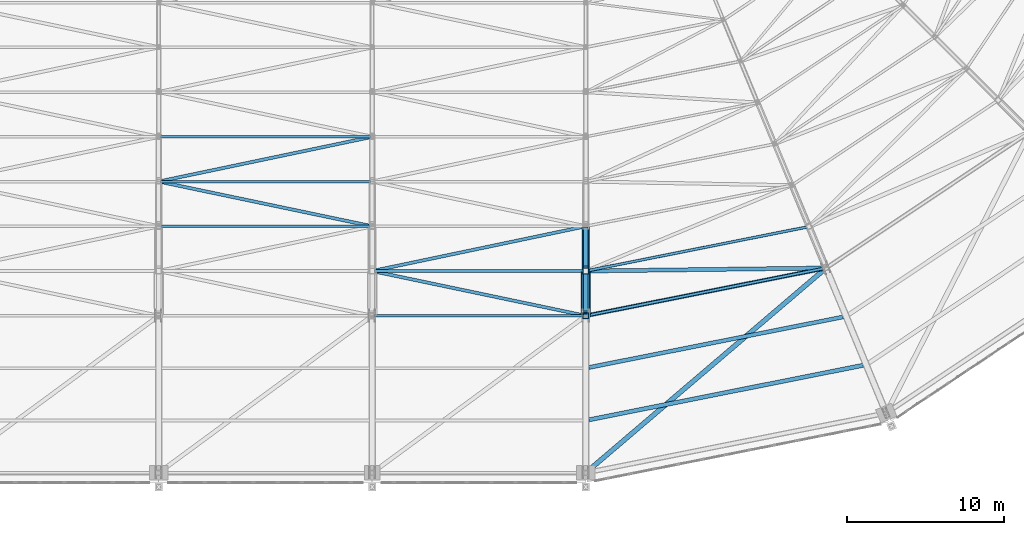
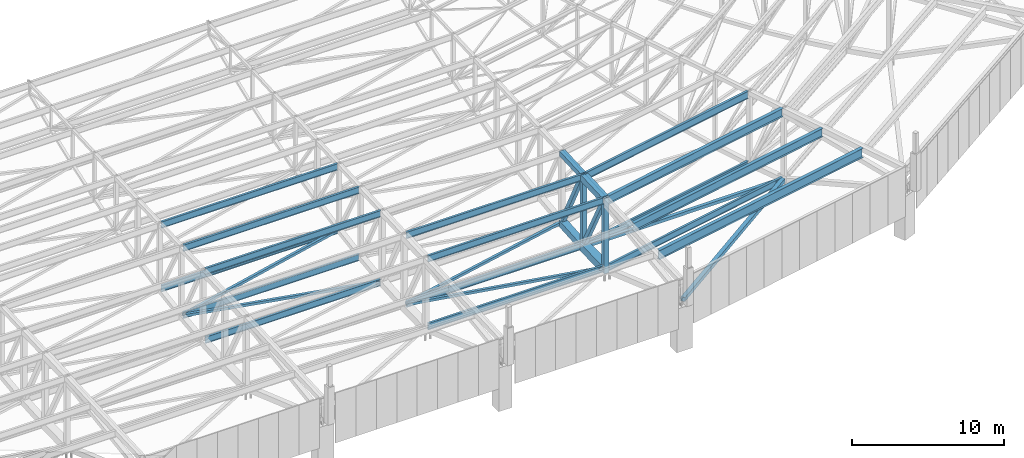
# One storey, part 22 of 278: 24 members, 6 beams.
"""IFC4 building model written with IfcOpenShell, lengths in metres."""

from ifc_helpers import new_model, si_unit, direction, frame, origin, origin_2d, place, context, subcontext, project, spatial, hollow_rectangle, i_section, extrude, material, material_profile, profile_set, type_object, element, save


model = new_model("IFC4")

# Units and contexts
model_context = context("Model", 3, precision=1e-05, world=origin(), true_north=direction((0.0, 1.0)))
body_context = subcontext(model_context, "Body", "Model", "MODEL_VIEW")
ifc_project = project(units=[si_unit("LENGTHUNIT", "METRE"), si_unit("AREAUNIT", "SQUARE_METRE"), si_unit("VOLUMEUNIT", "CUBIC_METRE"), si_unit("PLANEANGLEUNIT", "RADIAN"), si_unit("MASSUNIT", "GRAM", prefix="KILO")], contexts=[model_context])

# Site, building, storey
site_placement = place(None, origin())
site = spatial("IfcSite", under=ifc_project, at=site_placement, CompositionType="ELEMENT")
building_placement = place(site_placement, origin())
building = spatial("IfcBuilding", under=site, at=building_placement, Name="Ogive Plaza Stadium", CompositionType="ELEMENT")
storey_placement = place(building_placement, frame((0.0, 0.0, 29.0)))
storey = spatial("IfcBuildingStorey", under=building, at=storey_placement, Name="Roof", CompositionType="ELEMENT", Elevation=29.0)

# Members
ifc_material_1 = material(Name="Steel ASTM A500 Grade C", Category="steel")
ifc_material_profile_1 = material_profile(ifc_material_1, hollow_rectangle(XDim=0.25390625, YDim=0.25390625, WallThickness=0.0087890625, at=origin_2d()), Name="HSS10X10X3/8")
ifc_profile_set_1 = profile_set([ifc_material_profile_1], Name="Steel ASTM A500 Grade C")
member_type_1 = type_object("IfcMemberType", Name="Roof plan brace HSS10X10X3/8", PredefinedType="BRACE", material=ifc_profile_set_1)
member_1_placement = place(storey_placement, frame((34.1494140625, -89.648193359375, 0.266845703125), z_axis=(0.99991008144, 0.012733242681, -0.004206372102), x_axis=(-0.01273335533, 0.999918927545, 0.0)))
element("IfcMember", 1, at=member_1_placement, inside=storey, type_object=member_type_1, Name="ROOF BRACE B11 10", PredefinedType="BRACE", context=body_context, shape_type="SweptSolid", body=[
    extrude(hollow_rectangle(XDim=0.25390625, YDim=0.25390625, WallThickness=0.0087890625, at=origin_2d()), origin(), (0.0, 0.0, 1.0), 14.974609375),
])
ifc_material_2 = material(Name="Steel ASTM A500 Grade C", Category="steel")
ifc_material_profile_2 = material_profile(ifc_material_2, hollow_rectangle(XDim=0.3046875, YDim=0.3046875, WallThickness=0.0087890625, at=origin_2d()), Name="HSS12X12X3/8")
ifc_profile_set_2 = profile_set([ifc_material_profile_2], Name="Steel ASTM A500 Grade C")
member_type_2 = type_object("IfcMemberType", Name="Roof plan brace HSS12X12X3/8", PredefinedType="BRACE", material=ifc_profile_set_2)
member_2_placement = place(storey_placement, frame((49.170654296875, -89.571533203125, 0.234130859375), z_axis=(-0.749996237985, -0.639156639067, 0.170248153429), x_axis=(0.648625783566, -0.761107477886, 0.0)))
element("IfcMember", 2, at=member_2_placement, inside=storey, type_object=member_type_2, Name="ROOF BRACE B11 11", PredefinedType="BRACE", context=body_context, shape_type="SweptSolid", body=[
    extrude(hollow_rectangle(XDim=0.3046875, YDim=0.3046875, WallThickness=0.0087890625, at=origin_2d()), origin(), (0.0, 0.0, 1.0), 19.9228515625),
])
ifc_material_3 = material(Name="Steel ASTM A500 Grade C", Category="steel")
ifc_material_profile_3 = material_profile(ifc_material_3, hollow_rectangle(XDim=0.203125, YDim=0.203125, WallThickness=0.0087890625, at=origin_2d()), Name="HSS8X8X3/8")
ifc_profile_set_3 = profile_set([ifc_material_profile_3], Name="Steel ASTM A500 Grade C")
member_type_3 = type_object("IfcMemberType", Name="Roof plan brace HSS8X8X3/8", PredefinedType="BRACE", material=ifc_profile_set_3)
member_3_placement = place(storey_placement, frame((33.830810546875, -86.83544921875, 0.50927734375), z_axis=(-0.9786892756, -0.205092509512, -0.010215887981), x_axis=(0.205103212524, -0.978740349742, 0.0)))
element("IfcMember", 3, at=member_3_placement, inside=storey, type_object=member_type_3, Name="ROOF BRACE B12 9", PredefinedType="BRACE", context=body_context, shape_type="SweptSolid", body=[
    extrude(hollow_rectangle(XDim=0.203125, YDim=0.203125, WallThickness=0.0087890625, at=origin_2d()), origin(), (0.0, 0.0, 1.0), 13.55029296875),
])
member_4_placement = place(storey_placement, frame((20.5693359375, -89.685546875, 0.3681640625), z_axis=(0.978729937555, -0.205101030564, -0.004612656051), x_axis=(0.205103212524, 0.978740349742, 0.0)))
element("IfcMember", 4, at=member_4_placement, inside=storey, type_object=member_type_3, Name="ROOF BRACE B12 10", PredefinedType="BRACE", context=body_context, shape_type="SweptSolid", body=[
    extrude(hollow_rectangle(XDim=0.203125, YDim=0.203125, WallThickness=0.0087890625, at=origin_2d()), origin(), (0.0, 0.0, 1.0), 13.549560546875),
])
member_5_placement = place(storey_placement, frame((20.256103515625, -81.130126953125, 1.201416015625), z_axis=(-0.978282447902, -0.205014644711, -0.030536004664), x_axis=(0.205110294312, -0.978738865667, 0.0)))
element("IfcMember", 5, at=member_5_placement, inside=storey, type_object=member_type_3, Name="ROOF BRACE B13 7", PredefinedType="BRACE", context=body_context, shape_type="SweptSolid", body=[
    extrude(hollow_rectangle(XDim=0.203125, YDim=0.203125, WallThickness=0.0087890625, at=origin_2d()), origin(), (0.0, 0.0, 1.0), 13.607666015625),
])
member_6_placement = place(storey_placement, frame((6.94384765625, -83.980224609375, 0.778564453125), z_axis=(0.978554365022, -0.205067940633, -0.019454933079), x_axis=(0.205106760189, 0.978739606292, 0.0)))
element("IfcMember", 6, at=member_6_placement, inside=storey, type_object=member_type_3, Name="ROOF BRACE B13 8", PredefinedType="BRACE", context=body_context, shape_type="SweptSolid", body=[
    extrude(hollow_rectangle(XDim=0.203125, YDim=0.203125, WallThickness=0.0087890625, at=origin_2d()), origin(), (0.0, 0.0, 1.0), 13.578125),
])
ifc_material_4 = material(Name="Steel ASTM A992 Grade 50", Category="steel")
ifc_material_profile_4 = material_profile(ifc_material_4, i_section(OverallWidth=0.1650390625, OverallDepth=0.524658203125, WebThickness=0.0087890625, FlangeThickness=0.011474609375, at=origin_2d()), Name="W21X44")
ifc_profile_set_4 = profile_set([ifc_material_profile_4], Name="Steel ASTM A992 Grade 50")
member_type_4 = type_object("IfcMemberType", Name="Roof plan strut W21X44", PredefinedType="STRUT", material=ifc_profile_set_4)
member_7_placement = place(storey_placement, frame((48.07763671875, -86.849853515625, 0.267333984375), z_axis=(-0.980787315442, -0.195080090906, 0.0), x_axis=(0.195080090906, -0.980787315442, 0.0)))
element("IfcMember", 7, at=member_7_placement, inside=storey, type_object=member_type_4, Name="ROOF STRUT B11 9", PredefinedType="STRUT", context=body_context, shape_type="SweptSolid", body=[
    extrude(i_section(OverallWidth=0.1650390625, OverallDepth=0.524658203125, WebThickness=0.0087890625, FlangeThickness=0.011474609375, at=origin_2d()), origin(), (0.0, 0.0, 1.0), 14.185546875),
])
member_8_placement = place(storey_placement, frame((49.168212890625, -89.48291015625, 0.203125), z_axis=(-0.98078576758, -0.195087872799, 0.0), x_axis=(0.195087872799, -0.98078576758, 0.0)))
element("IfcMember", 8, at=member_8_placement, inside=storey, type_object=member_type_4, Name="ROOF STRUT B11 10", PredefinedType="STRUT", context=body_context, shape_type="SweptSolid", body=[
    extrude(i_section(OverallWidth=0.1650390625, OverallDepth=0.524658203125, WebThickness=0.0087890625, FlangeThickness=0.011474609375, at=origin_2d()), origin(), (0.0, 0.0, 1.0), 15.297607421875),
])
for number, where, z_axis, x_axis, name in (
    (9, (33.852294921875, -89.64990234375, 0.369140625), (-1.0, 0.0, 0.0), (0.0, -1.0, 0.0), "ROOF STRUT B12 9"),
    (10, (33.852294921875, -92.5, 0.3046875), (-1.0, 0.0, 0.0), (0.0, -1.0, 0.0), "ROOF STRUT B12 10"),
):
    element("IfcMember", number, at=place(storey_placement, frame(where, z_axis=z_axis, x_axis=x_axis)), inside=storey, type_object=member_type_4, Name=name, PredefinedType="STRUT", context=body_context, shape_type="SweptSolid", body=[
        extrude(i_section(OverallWidth=0.1650390625, OverallDepth=0.524658203125, WebThickness=0.0087890625, FlangeThickness=0.011474609375, at=origin_2d()), origin(), (0.0, 0.0, 1.0), 13.304443359375),
    ])
for number, where, z_axis, x_axis, name in (
    (11, (20.277587890625, -81.10009765625, 1.205810546875), (-1.0, 0.0, 0.0), (0.0, -1.0, 0.0), "ROOF STRUT B13 6"),
    (12, (20.277587890625, -83.949951171875, 0.781494140625), (-1.0, 0.0, 0.0), (0.0, -1.0, 0.0), "ROOF STRUT B13 7"),
):
    element("IfcMember", number, at=place(storey_placement, frame(where, z_axis=z_axis, x_axis=x_axis)), inside=storey, type_object=member_type_4, Name=name, PredefinedType="STRUT", context=body_context, shape_type="SweptSolid", body=[
        extrude(i_section(OverallWidth=0.1650390625, OverallDepth=0.524658203125, WebThickness=0.0087890625, FlangeThickness=0.011474609375, at=origin_2d()), origin(), (0.0, 0.0, 1.0), 13.355224609375),
    ])
member_9_placement = place(storey_placement, frame((20.252197265625, -86.800048828125, 0.510986328125), z_axis=(-1.0, 0.0, 0.0), x_axis=(0.0, -1.0, 0.0)))
element("IfcMember", 13, at=member_9_placement, inside=storey, type_object=member_type_4, Name="ROOF STRUT B13 8", PredefinedType="STRUT", context=body_context, shape_type="SweptSolid", body=[
    extrude(i_section(OverallWidth=0.1650390625, OverallDepth=0.524658203125, WebThickness=0.0087890625, FlangeThickness=0.011474609375, at=origin_2d()), origin(), (0.0, 0.0, 1.0), 13.304443359375),
])
ifc_material_5 = material(Name="Steel ASTM A992 Grade 50", Category="steel")
ifc_material_profile_5 = material_profile(ifc_material_5, i_section(OverallWidth=0.1650390625, OverallDepth=0.524658203125, WebThickness=0.0087890625, FlangeThickness=0.011474609375, at=origin_2d()), Name="W21X44")
ifc_profile_set_5 = profile_set([ifc_material_profile_5], Name="Steel ASTM A992 Grade 50")
member_type_5 = type_object("IfcMemberType", Name="Roof purlin W21X44", PredefinedType="PURLIN", material=ifc_profile_set_5)
for number, where, z_axis, x_axis, name in (
    (14, (33.852294921875, -89.64990234375, 5.880126953125), (-1.0, 0.0, 0.0), (0.0, -1.0, 0.0), "ROOF PURLIN B12 9"),
    (15, (33.852294921875, -92.5, 5.737548828125), (-1.0, 0.0, 0.0), (0.0, -1.0, 0.0), "ROOF PURLIN B12 10"),
):
    element("IfcMember", number, at=place(storey_placement, frame(where, z_axis=z_axis, x_axis=x_axis)), inside=storey, type_object=member_type_5, Name=name, PredefinedType="PURLIN", context=body_context, shape_type="SweptSolid", body=[
        extrude(i_section(OverallWidth=0.1650390625, OverallDepth=0.524658203125, WebThickness=0.0087890625, FlangeThickness=0.011474609375, at=origin_2d()), origin(), (0.0, 0.0, 1.0), 13.304443359375),
    ])
for number, where, z_axis, x_axis, name in (
    (16, (20.277587890625, -81.10009765625, 6.3076171875), (-1.0, 0.0, 0.0), (0.0, -1.0, 0.0), "ROOF PURLIN B13 6"),
    (17, (20.277587890625, -83.949951171875, 6.1650390625), (-1.0, 0.0, 0.0), (0.0, -1.0, 0.0), "ROOF PURLIN B13 7"),
):
    element("IfcMember", number, at=place(storey_placement, frame(where, z_axis=z_axis, x_axis=x_axis)), inside=storey, type_object=member_type_5, Name=name, PredefinedType="PURLIN", context=body_context, shape_type="SweptSolid", body=[
        extrude(i_section(OverallWidth=0.1650390625, OverallDepth=0.524658203125, WebThickness=0.0087890625, FlangeThickness=0.011474609375, at=origin_2d()), origin(), (0.0, 0.0, 1.0), 13.355224609375),
    ])
member_10_placement = place(storey_placement, frame((20.252197265625, -86.800048828125, 6.022705078125), z_axis=(-1.0, 0.0, 0.0), x_axis=(0.0, -1.0, 0.0)))
element("IfcMember", 18, at=member_10_placement, inside=storey, type_object=member_type_5, Name="ROOF PURLIN B13 8", PredefinedType="PURLIN", context=body_context, shape_type="SweptSolid", body=[
    extrude(i_section(OverallWidth=0.1650390625, OverallDepth=0.524658203125, WebThickness=0.0087890625, FlangeThickness=0.011474609375, at=origin_2d()), origin(), (0.0, 0.0, 1.0), 13.304443359375),
])
ifc_material_6 = material(Name="Steel ASTM A992 Grade 50", Category="steel")
ifc_material_profile_6 = material_profile(ifc_material_6, i_section(OverallWidth=0.177978515625, OverallDepth=0.5986328125, WebThickness=0.010009765625, FlangeThickness=0.012939453125, at=origin_2d()), Name="W24X55")
ifc_profile_set_6 = profile_set([ifc_material_profile_6], Name="Steel ASTM A992 Grade 50")
member_type_6 = type_object("IfcMemberType", Name="Roof purlin W24X55", PredefinedType="PURLIN", material=ifc_profile_set_6)
member_11_placement = place(storey_placement, frame((48.076416015625, -86.85009765625, 5.84326171875), z_axis=(-0.98078735162, -0.195079909016, 0.0), x_axis=(0.195079909016, -0.98078735162, 0.0)))
element("IfcMember", 19, at=member_11_placement, inside=storey, type_object=member_type_6, Name="ROOF PURLIN B11 9", PredefinedType="PURLIN", context=body_context, shape_type="SweptSolid", body=[
    extrude(i_section(OverallWidth=0.177978515625, OverallDepth=0.5986328125, WebThickness=0.010009765625, FlangeThickness=0.012939453125, at=origin_2d()), origin(), (0.0, 0.0, 1.0), 14.18310546875),
])
ifc_material_7 = material(Name="Steel ASTM A992 Grade 50", Category="steel")
ifc_material_profile_7 = material_profile(ifc_material_7, i_section(OverallWidth=0.2529296875, OverallDepth=0.678466796875, WebThickness=0.01171875, FlangeThickness=0.016357421875, at=origin_2d()), Name="W27X84")
ifc_profile_set_7 = profile_set([ifc_material_profile_7], Name="Steel ASTM A992 Grade 50")
member_type_7 = type_object("IfcMemberType", Name="Roof purlin W27X84", PredefinedType="PURLIN", material=ifc_profile_set_7)
member_12_placement = place(storey_placement, frame((49.15966796875, -89.484619140625, 5.660888671875), z_axis=(-0.980786000888, -0.195086699859, 0.0), x_axis=(0.195086699859, -0.980786000888, 0.0)))
element("IfcMember", 20, at=member_12_placement, inside=storey, type_object=member_type_7, Name="ROOF PURLIN B11 10", PredefinedType="PURLIN", context=body_context, shape_type="SweptSolid", body=[
    extrude(i_section(OverallWidth=0.2529296875, OverallDepth=0.678466796875, WebThickness=0.01171875, FlangeThickness=0.016357421875, at=origin_2d()), origin(), (0.0, 0.0, 1.0), 15.2802734375),
])
member_13_placement = place(storey_placement, frame((50.384521484375, -92.57421875, 5.494140625), z_axis=(-0.980783842794, -0.195097549229, 0.0), x_axis=(0.195097549229, -0.980783842794, 0.0)))
element("IfcMember", 21, at=member_13_placement, inside=storey, type_object=member_type_7, Name="ROOF PURLIN B11 11", PredefinedType="PURLIN", context=body_context, shape_type="SweptSolid", body=[
    extrude(i_section(OverallWidth=0.2529296875, OverallDepth=0.678466796875, WebThickness=0.01171875, FlangeThickness=0.016357421875, at=origin_2d()), origin(), (0.0, 0.0, 1.0), 16.503173828125),
])
ifc_material_8 = material(Name="Steel ASTM A992 Grade 50", Category="steel")
ifc_material_profile_8 = material_profile(ifc_material_8, i_section(OverallWidth=0.26416015625, OverallDepth=0.75, WebThickness=0.011962890625, FlangeThickness=0.015380859375, at=origin_2d()), Name="W30X90")
ifc_profile_set_8 = profile_set([ifc_material_profile_8], Name="Steel ASTM A992 Grade 50")
member_type_8 = type_object("IfcMemberType", Name="Roof purlin W30X90", PredefinedType="PURLIN", material=ifc_profile_set_8)
member_14_placement = place(storey_placement, frame((51.658935546875, -95.654052734375, 5.291748046875), z_axis=(-0.98078533037, -0.195090070818, 0.0), x_axis=(0.195090070818, -0.98078533037, 0.0)))
element("IfcMember", 22, at=member_14_placement, inside=storey, type_object=member_type_8, Name="ROOF PURLIN B11 12", PredefinedType="PURLIN", context=body_context, shape_type="SweptSolid", body=[
    extrude(i_section(OverallWidth=0.26416015625, OverallDepth=0.75, WebThickness=0.011962890625, FlangeThickness=0.015380859375, at=origin_2d()), origin(), (0.0, 0.0, 1.0), 17.801513671875),
])

# Beams
ifc_material_9 = material(Name="Steel ASTM A500 Grade C", Category="steel")
ifc_material_profile_9 = material_profile(ifc_material_9, hollow_rectangle(XDim=0.508056640625, YDim=0.508056640625, WallThickness=0.0146484375, at=origin_2d()), Name="HSS20X20X5/8")
ifc_profile_set_9 = profile_set([ifc_material_profile_9], Name="Steel ASTM A500 Grade C")
beam_type_1 = type_object("IfcBeamType", Name="Roof truss bottom chord HSS20X20X5/8", PredefinedType="BEAM", material=ifc_profile_set_9)
beam_1_placement = place(storey_placement, frame((34.0, -86.85009765625, 0.50830078125), z_axis=(0.0, -0.997719620387, -0.06749488199), x_axis=(1.0, 0.0, 0.0)))
element("IfcBeam", 23, at=beam_1_placement, inside=storey, type_object=beam_type_1, Name="ROOF TRUSS T12 BOTTOM CHORD 9", PredefinedType="BEAM", context=body_context, shape_type="SweptSolid", body=[
    extrude(hollow_rectangle(XDim=0.508056640625, YDim=0.508056640625, WallThickness=0.0146484375, at=origin_2d()), origin(), (0.0, 0.0, 1.0), 2.75634765625),
])
ifc_material_10 = material(Name="Steel ASTM A500 Grade C", Category="steel")
ifc_material_profile_10 = material_profile(ifc_material_10, hollow_rectangle(XDim=0.609619140625, YDim=0.609619140625, WallThickness=0.0146484375, at=origin_2d()), Name="HSS24X24X5/8")
ifc_profile_set_10 = profile_set([ifc_material_profile_10], Name="Steel ASTM A500 Grade C")
beam_type_2 = type_object("IfcBeamType", Name="Roof truss bottom chord HSS24X24X5/8", PredefinedType="BEAM", material=ifc_profile_set_10)
beam_2_placement = place(storey_placement, frame((34.0, -89.699951171875, 0.367919921875), z_axis=(0.0, -0.999745852076, -0.022543984946), x_axis=(1.0, 0.0, 0.0)))
element("IfcBeam", 24, at=beam_2_placement, inside=storey, type_object=beam_type_2, Name="ROOF TRUSS T12 BOTTOM CHORD 10", PredefinedType="BEAM", context=body_context, shape_type="SweptSolid", body=[
    extrude(hollow_rectangle(XDim=0.609619140625, YDim=0.609619140625, WallThickness=0.0146484375, at=origin_2d()), origin(), (0.0, 0.0, 1.0), 2.750732421875),
])

# Members
ifc_material_11 = material(Name="Steel ASTM A500 Grade C", Category="steel")
ifc_material_profile_11 = material_profile(ifc_material_11, hollow_rectangle(XDim=0.3046875, YDim=0.3046875, WallThickness=0.0087890625, at=origin_2d()), Name="HSS12X12X3/8")
ifc_profile_set_11 = profile_set([ifc_material_profile_11], Name="Steel ASTM A500 Grade C")
member_type_9 = type_object("IfcMemberType", Name="Roof truss diagonal HSS12X12X3/8", PredefinedType="BRACE", material=ifc_profile_set_11)
member_15_placement = place(storey_placement, frame((34.0, -86.977783203125, 0.764892578125), z_axis=(0.0, -0.448477330766, 0.893794206621), x_axis=(1.0, 0.0, 0.0)))
element("IfcMember", 25, at=member_15_placement, inside=storey, type_object=member_type_9, Name="ROOF TRUSS T12 DIAGONAL 9", PredefinedType="BRACE", context=body_context, shape_type="SweptSolid", body=[
    extrude(hollow_rectangle(XDim=0.3046875, YDim=0.3046875, WallThickness=0.0087890625, at=origin_2d()), origin(), (0.0, 0.0, 1.0), 5.56201171875),
])
member_16_placement = place(storey_placement, frame((34.0, -89.827880859375, 0.673828125), z_axis=(0.0, -0.459750963822, 0.888047887934), x_axis=(1.0, 0.0, 0.0)))
element("IfcMember", 26, at=member_16_placement, inside=storey, type_object=member_type_9, Name="ROOF TRUSS T12 DIAGONAL 10", PredefinedType="BRACE", context=body_context, shape_type="SweptSolid", body=[
    extrude(hollow_rectangle(XDim=0.3046875, YDim=0.3046875, WallThickness=0.0087890625, at=origin_2d()), origin(), (0.0, 0.0, 1.0), 5.425537109375),
])

# Beams
ifc_material_12 = material(Name="Steel ASTM A500 Grade C", Category="steel")
ifc_material_profile_12 = material_profile(ifc_material_12, hollow_rectangle(XDim=0.355712890625, YDim=0.355712890625, WallThickness=0.0146484375, at=origin_2d()), Name="HSS14X14X5/8")
ifc_profile_set_12 = profile_set([ifc_material_profile_12], Name="Steel ASTM A500 Grade C")
beam_type_3 = type_object("IfcBeamType", Name="Roof truss post HSS14X14X5/8", PredefinedType="BEAM", material=ifc_profile_set_12)
beam_3_placement = place(storey_placement, frame((34.0, -89.64990234375, 0.064208984375), z_axis=(0.0, 0.0, 1.0), x_axis=(1.0, 0.0, 0.0)))
element("IfcBeam", 27, at=beam_3_placement, inside=storey, type_object=beam_type_3, Name="ROOF TRUSS T12 POST 10", PredefinedType="BEAM", context=body_context, shape_type="SweptSolid", body=[
    extrude(hollow_rectangle(XDim=0.355712890625, YDim=0.355712890625, WallThickness=0.0146484375, at=origin_2d()), origin(), (0.0, 0.0, 1.0), 6.078369140625),
])
beam_4_placement = place(storey_placement, frame((34.0, -92.5, -0.06005859375), z_axis=(0.0, 0.0, 1.0), x_axis=(1.0, 0.0, 0.0)))
element("IfcBeam", 28, at=beam_4_placement, inside=storey, type_object=beam_type_3, Name="ROOF TRUSS T12 POST 11", PredefinedType="BEAM", context=body_context, shape_type="SweptSolid", body=[
    extrude(hollow_rectangle(XDim=0.355712890625, YDim=0.355712890625, WallThickness=0.0146484375, at=origin_2d()), origin(), (0.0, 0.0, 1.0), 6.06005859375),
])
ifc_material_13 = material(Name="Steel ASTM A500 Grade C", Category="steel")
ifc_material_profile_13 = material_profile(ifc_material_13, hollow_rectangle(XDim=0.406494140625, YDim=0.406494140625, WallThickness=0.01171875, at=origin_2d()), Name="HSS16X16X1/2")
ifc_profile_set_13 = profile_set([ifc_material_profile_13], Name="Steel ASTM A500 Grade C")
beam_type_4 = type_object("IfcBeamType", Name="Roof truss top chord HSS16X16X1/2", PredefinedType="BEAM", material=ifc_profile_set_13)
beam_5_placement = place(storey_placement, frame((34.0, -86.85009765625, 6.0791015625), z_axis=(0.0, -0.998753223187, -0.049919927615), x_axis=(1.0, 0.0, 0.0)))
element("IfcBeam", 29, at=beam_5_placement, inside=storey, type_object=beam_type_4, Name="ROOF TRUSS T12 TOP CHORD 9", PredefinedType="BEAM", context=body_context, shape_type="SweptSolid", body=[
    extrude(hollow_rectangle(XDim=0.406494140625, YDim=0.406494140625, WallThickness=0.01171875, at=origin_2d()), origin(), (0.0, 0.0, 1.0), 2.75341796875),
])
ifc_material_14 = material(Name="Steel ASTM A500 Grade C", Category="steel")
ifc_material_profile_14 = material_profile(ifc_material_14, hollow_rectangle(XDim=0.508056640625, YDim=0.508056640625, WallThickness=0.0146484375, at=origin_2d()), Name="HSS20X20X5/8")
ifc_profile_set_14 = profile_set([ifc_material_profile_14], Name="Steel ASTM A500 Grade C")
beam_type_5 = type_object("IfcBeamType", Name="Roof truss top chord HSS20X20X5/8", PredefinedType="BEAM", material=ifc_profile_set_14)
beam_6_placement = place(storey_placement, frame((34.0, -89.699951171875, 5.8857421875), z_axis=(0.0, -0.998753223187, -0.049919927615), x_axis=(1.0, 0.0, 0.0)))
element("IfcBeam", 30, at=beam_6_placement, inside=storey, type_object=beam_type_5, Name="ROOF TRUSS T12 TOP CHORD 10", PredefinedType="BEAM", context=body_context, shape_type="SweptSolid", body=[
    extrude(hollow_rectangle(XDim=0.508056640625, YDim=0.508056640625, WallThickness=0.0146484375, at=origin_2d()), origin(), (0.0, 0.0, 1.0), 2.75341796875),
])

save(model, "model.ifc")
